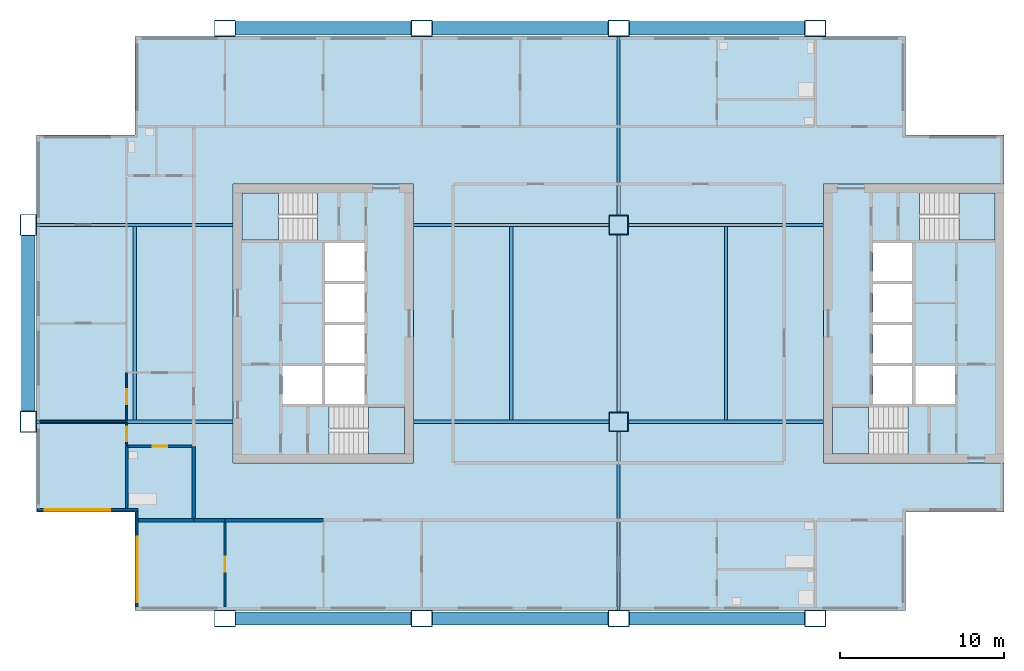
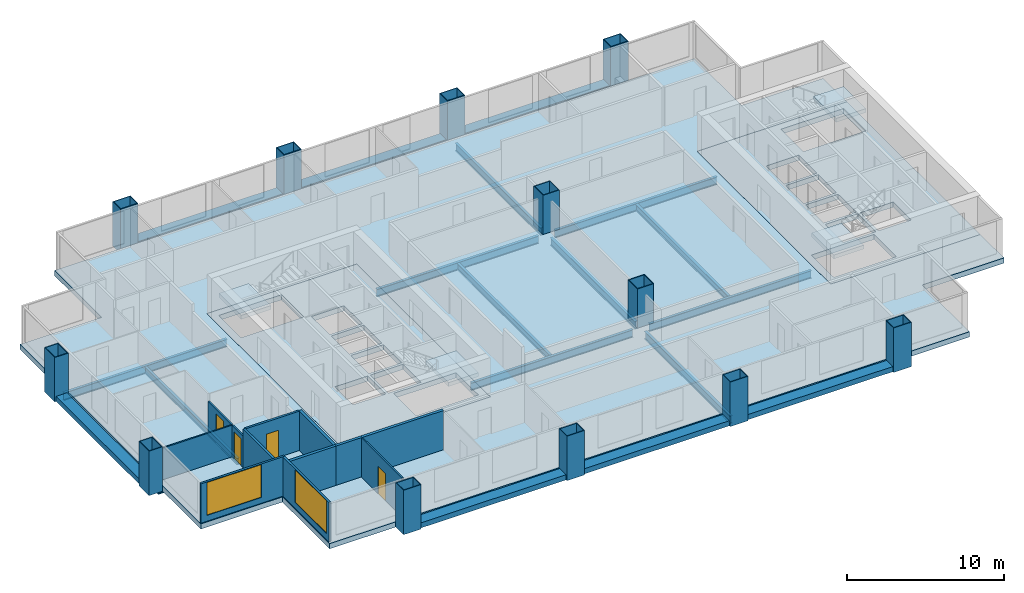
# One storey, part 1 of 8: 19 beams, 12 columns, 12 walls, 7 slabs, 4 doors, 2 windows, 6 openings, 4 elements without a shape of their own.
"""IFC4 building model written with IfcOpenShell, lengths in metres."""

from ifc_helpers import new_model, si_unit, direction, frame, frame_2d, origin, origin_2d, place, context, subcontext, project, spatial, polyline, rectangle, hollow_rectangle, i_section, outline, extrude, material, layer, layer_set, material_profile, profile_set, type_object, element, fill, aggregate, save


model = new_model("IFC4")

# Units and contexts
model_context = context("Model", 3, precision=1e-05, world=origin(), true_north=direction((0.0, 1.0)))
body_context = subcontext(model_context, "Body", "Model", "MODEL_VIEW")
ifc_project = project(units=[si_unit("LENGTHUNIT", "METRE"), si_unit("AREAUNIT", "SQUARE_METRE"), si_unit("VOLUMEUNIT", "CUBIC_METRE"), si_unit("PLANEANGLEUNIT", "RADIAN"), si_unit("MASSUNIT", "GRAM", prefix="KILO")], contexts=[model_context])

# Site, building, storey
site_placement = place(None, origin())
site = spatial("IfcSite", under=ifc_project, at=site_placement, CompositionType="ELEMENT")
building_placement = place(site_placement, origin())
building = spatial("IfcBuilding", under=site, at=building_placement, Name="Kitamizu Gate Tower and Museum", CompositionType="ELEMENT")
storey_placement = place(building_placement, frame((0.0, 0.0, 172.050048828125)))
storey = spatial("IfcBuildingStorey", under=building, at=storey_placement, Name="L45", CompositionType="ELEMENT", Elevation=172.050048828125)

# Columns
ifc_material_1 = material(Name="Steel SM490A bronze coated", Category="steel")
ifc_material_profile_1 = material_profile(ifc_material_1, hollow_rectangle(XDim=1.300048828125, YDim=1.0, WallThickness=0.050048828125, at=origin_2d()), Name="BOX 1300x1000x50")
ifc_profile_set_1 = profile_set([ifc_material_profile_1], Name="Steel SM490A bronze coated")
column_type_1 = type_object("IfcColumnType", Name="Exoskeleton column XC6 BOX 1300x1000x50", PredefinedType="COLUMN", material=ifc_profile_set_1)
for number, where, z_axis, x_axis, name in (
    (1, (0.0, 24.0, -0.400146484375), (0.0, 0.0, 1.0), (0.0, 1.0, 0.0), "Column XC6 1C L45"),
    (2, (0.0, 36.0, -0.400146484375), (0.0, 0.0, 1.0), (0.0, 1.0, 0.0), "Column XC6 1D L45"),
    (3, (12.0, 12.0, -0.400146484375), (0.0, 0.0, 1.0), (1.0, 0.0, 0.0), "Column XC6 2B L45"),
    (4, (12.0, 48.0, -0.400146484375), (0.0, 0.0, 1.0), (1.0, 0.0, 0.0), "Column XC6 2E L45"),
    (5, (24.0, 12.0, -0.400146484375), (0.0, 0.0, 1.0), (1.0, 0.0, 0.0), "Column XC6 3B L45"),
    (6, (24.0, 48.0, -0.400146484375), (0.0, 0.0, 1.0), (1.0, 0.0, 0.0), "Column XC6 3E L45"),
    (7, (36.0, 12.0, -0.400146484375), (0.0, 0.0, 1.0), (1.0, 0.0, 0.0), "Column XC6 4B L45"),
    (8, (36.0, 48.0, -0.400146484375), (0.0, 0.0, 1.0), (1.0, 0.0, 0.0), "Column XC6 4E L45"),
    (9, (48.0, 12.0, -0.400146484375), (0.0, 0.0, 1.0), (1.0, 0.0, 0.0), "Column XC6 5B L45"),
    (10, (48.0, 48.0, -0.400146484375), (0.0, 0.0, 1.0), (1.0, 0.0, 0.0), "Column XC6 5E L45"),
):
    element("IfcColumn", number, at=place(storey_placement, frame(where, z_axis=z_axis, x_axis=x_axis)), inside=storey, type_object=column_type_1, Name=name, PredefinedType="COLUMN", context=body_context, shape_type="SweptSolid", body=[
        extrude(hollow_rectangle(XDim=1.300048828125, YDim=1.0, WallThickness=0.050048828125, at=origin_2d()), origin(), (0.0, 0.0, 1.0), 3.4501953125),
    ])
ifc_material_2 = material(Name="Steel SM490A", Category="steel")
ifc_material_profile_2 = material_profile(ifc_material_2, hollow_rectangle(XDim=1.199951171875, YDim=1.199951171875, WallThickness=0.050048828125, at=origin_2d()), Name="BOX 1200x1200x50")
ifc_profile_set_2 = profile_set([ifc_material_profile_2], Name="Steel SM490A")
column_type_2 = type_object("IfcColumnType", Name="Interior column IC4 BOX 1200x1200x50", PredefinedType="COLUMN", material=ifc_profile_set_2)
for number, where, z_axis, x_axis, name in (
    (11, (36.0, 24.0, 0.0), (0.0, 0.0, 1.0), (1.0, 0.0, 0.0), "Column IC4 4C L45"),
    (12, (36.0, 36.0, 0.0), (0.0, 0.0, 1.0), (1.0, 0.0, 0.0), "Column IC4 4D L45"),
):
    element("IfcColumn", number, at=place(storey_placement, frame(where, z_axis=z_axis, x_axis=x_axis)), inside=storey, type_object=column_type_2, Name=name, PredefinedType="COLUMN", context=body_context, shape_type="SweptSolid", body=[
        extrude(hollow_rectangle(XDim=1.199951171875, YDim=1.199951171875, WallThickness=0.050048828125, at=origin_2d()), origin(), (0.0, 0.0, 1.0), 3.050048828125),
    ])

# Beams
ifc_material_3 = material(Name="Steel SM490A bronze coated", Category="steel")
ifc_material_profile_3 = material_profile(ifc_material_3, hollow_rectangle(XDim=0.800048828125, YDim=0.39990234375, WallThickness=0.0400390625, at=origin_2d()), Name="BOX 800x400x40")
ifc_profile_set_3 = profile_set([ifc_material_profile_3], Name="Steel SM490A bronze coated")
beam_type_1 = type_object("IfcBeamType", Name="Exoskeleton spandrel beam SB1 BOX 800x400x40", PredefinedType="SPANDREL", material=ifc_profile_set_3)
for number, where, z_axis, x_axis, name in (
    (13, (12.64990234375, 12.0, -0.199951171875), (1.0, 0.0, 0.0), (0.0, 1.0, 0.0), "Exoskeleton spandrel beam south 12 L45"),
    (14, (24.64990234375, 12.0, -0.199951171875), (1.0, 0.0, 0.0), (0.0, 1.0, 0.0), "Exoskeleton spandrel beam south 24 L45"),
    (15, (36.64990234375, 12.0, -0.199951171875), (1.0, 0.0, 0.0), (0.0, 1.0, 0.0), "Exoskeleton spandrel beam south 36 L45"),
    (16, (12.64990234375, 48.0, -0.199951171875), (1.0, 0.0, 0.0), (0.0, 1.0, 0.0), "Exoskeleton spandrel beam north 12 L45"),
    (17, (24.64990234375, 48.0, -0.199951171875), (1.0, 0.0, 0.0), (0.0, 1.0, 0.0), "Exoskeleton spandrel beam north 24 L45"),
    (18, (36.64990234375, 48.0, -0.199951171875), (1.0, 0.0, 0.0), (0.0, 1.0, 0.0), "Exoskeleton spandrel beam north 36 L45"),
    (19, (0.0, 24.64990234375, -0.199951171875), (0.0, 1.0, 0.0), (-1.0, 0.0, 0.0), "Exoskeleton spandrel beam west 24 L45"),
):
    element("IfcBeam", number, at=place(storey_placement, frame(where, z_axis=z_axis, x_axis=x_axis)), inside=storey, type_object=beam_type_1, Name=name, PredefinedType="SPANDREL", context=body_context, shape_type="SweptSolid", body=[
        extrude(hollow_rectangle(XDim=0.800048828125, YDim=0.39990234375, WallThickness=0.0400390625, at=origin_2d()), origin(), (0.0, 0.0, 1.0), 10.7001953125),
    ])
ifc_material_4 = material(Name="Steel SM490A", Category="steel")
ifc_material_profile_4 = material_profile(ifc_material_4, i_section(OverallWidth=0.199951171875, OverallDepth=0.5, WebThickness=0.010009765625, FlangeThickness=0.01611328125, FilletRadius=0.02001953125, at=origin_2d()), Name="H-500x200x10x16")
ifc_profile_set_4 = profile_set([ifc_material_profile_4], Name="Steel SM490A")
beam_type_2 = type_object("IfcBeamType", Name="Floor beam FB1 H 500x200x10x16", PredefinedType="BEAM", material=ifc_profile_set_4)
for number, where, z_axis, x_axis, name in (
    (20, (6.5, 24.10009765625, -0.650146484375), (0.0, 1.0, 0.0), (-1.0, 0.0, 0.0), "Floor beam FB1 L45-1"),
    (21, (29.449951171875, 24.10009765625, -0.650146484375), (0.0, 1.0, 0.0), (-1.0, 0.0, 0.0), "Floor beam FB1 L45-2"),
    (22, (42.550048828125, 24.10009765625, -0.650146484375), (0.0, 1.0, 0.0), (-1.0, 0.0, 0.0), "Floor beam FB1 L45-3"),
):
    element("IfcBeam", number, at=place(storey_placement, frame(where, z_axis=z_axis, x_axis=x_axis)), inside=storey, type_object=beam_type_2, Name=name, PredefinedType="BEAM", context=body_context, shape_type="SweptSolid", body=[
        extrude(i_section(OverallWidth=0.199951171875, OverallDepth=0.5, WebThickness=0.010009765625, FlangeThickness=0.01611328125, FilletRadius=0.02001953125, at=origin_2d()), origin(), (0.0, 0.0, 1.0), 11.7998046875),
    ])
ifc_material_5 = material(Name="Steel SM490A", Category="steel")
ifc_material_profile_5 = material_profile(ifc_material_5, i_section(OverallWidth=0.199951171875, OverallDepth=0.60009765625, WebThickness=0.010986328125, FlangeThickness=0.01708984375, FilletRadius=0.02197265625, at=origin_2d()), Name="H-600x200x11x17")
ifc_profile_set_5 = profile_set([ifc_material_profile_5], Name="Steel SM490A")
beam_type_3 = type_object("IfcBeamType", Name="Floor girder FG1 H 600x200x11x17", PredefinedType="BEAM", material=ifc_profile_set_5)
beam_1_placement = place(storey_placement, frame((36.0, 12.5, -0.699951171875), z_axis=(0.0, 1.0, 0.0), x_axis=(-1.0, 0.0, 0.0)))
element("IfcBeam", 23, at=beam_1_placement, inside=storey, type_object=beam_type_3, Name="Floor girder FG1 x36 L45", PredefinedType="BEAM", context=body_context, shape_type="SweptSolid", body=[
    extrude(i_section(OverallWidth=0.199951171875, OverallDepth=0.60009765625, WebThickness=0.010986328125, FlangeThickness=0.01708984375, FilletRadius=0.02197265625, at=origin_2d()), origin(), (0.0, 0.0, 1.0), 10.89990234375),
])
beam_2_placement = place(storey_placement, frame((36.0, 24.60009765625, -0.699951171875), z_axis=(0.0, 1.0, 0.0), x_axis=(-1.0, 0.0, 0.0)))
element("IfcBeam", 24, at=beam_2_placement, inside=storey, type_object=beam_type_3, Name="Floor girder FG1 x36 L45", PredefinedType="BEAM", context=body_context, shape_type="SweptSolid", body=[
    extrude(i_section(OverallWidth=0.199951171875, OverallDepth=0.60009765625, WebThickness=0.010986328125, FlangeThickness=0.01708984375, FilletRadius=0.02197265625, at=origin_2d()), origin(), (0.0, 0.0, 1.0), 10.7998046875),
])
beam_3_placement = place(storey_placement, frame((36.0, 36.60009765625, -0.699951171875), z_axis=(0.0, 1.0, 0.0), x_axis=(-1.0, 0.0, 0.0)))
element("IfcBeam", 25, at=beam_3_placement, inside=storey, type_object=beam_type_3, Name="Floor girder FG1 x36 L45", PredefinedType="BEAM", context=body_context, shape_type="SweptSolid", body=[
    extrude(i_section(OverallWidth=0.199951171875, OverallDepth=0.60009765625, WebThickness=0.010986328125, FlangeThickness=0.01708984375, FilletRadius=0.02197265625, at=origin_2d()), origin(), (0.0, 0.0, 1.0), 10.89990234375),
])
beam_4_placement = place(storey_placement, frame((0.5, 24.0, -0.699951171875), z_axis=(1.0, 0.0, 0.0), x_axis=(0.0, 1.0, 0.0)))
element("IfcBeam", 26, at=beam_4_placement, inside=storey, type_object=beam_type_3, Name="Floor girder FG1 y24 L45", PredefinedType="BEAM", context=body_context, shape_type="SweptSolid", body=[
    extrude(i_section(OverallWidth=0.199951171875, OverallDepth=0.60009765625, WebThickness=0.010986328125, FlangeThickness=0.01708984375, FilletRadius=0.02197265625, at=origin_2d()), origin(), (0.0, 0.0, 1.0), 12.0),
])
for number, where, z_axis, x_axis, name in (
    (27, (23.5, 24.0, -0.699951171875), (1.0, 0.0, 0.0), (0.0, 1.0, 0.0), "Floor girder FG1 y24 L45"),
    (28, (36.60009765625, 24.0, -0.699951171875), (1.0, 0.0, 0.0), (0.0, 1.0, 0.0), "Floor girder FG1 y24 L45"),
):
    element("IfcBeam", number, at=place(storey_placement, frame(where, z_axis=z_axis, x_axis=x_axis)), inside=storey, type_object=beam_type_3, Name=name, PredefinedType="BEAM", context=body_context, shape_type="SweptSolid", body=[
        extrude(i_section(OverallWidth=0.199951171875, OverallDepth=0.60009765625, WebThickness=0.010986328125, FlangeThickness=0.01708984375, FilletRadius=0.02197265625, at=origin_2d()), origin(), (0.0, 0.0, 1.0), 11.89990234375),
    ])
beam_5_placement = place(storey_placement, frame((0.5, 36.0, -0.699951171875), z_axis=(1.0, 0.0, 0.0), x_axis=(0.0, 1.0, 0.0)))
element("IfcBeam", 29, at=beam_5_placement, inside=storey, type_object=beam_type_3, Name="Floor girder FG1 y36 L45", PredefinedType="BEAM", context=body_context, shape_type="SweptSolid", body=[
    extrude(i_section(OverallWidth=0.199951171875, OverallDepth=0.60009765625, WebThickness=0.010986328125, FlangeThickness=0.01708984375, FilletRadius=0.02197265625, at=origin_2d()), origin(), (0.0, 0.0, 1.0), 12.0),
])
for number, where, z_axis, x_axis, name in (
    (30, (23.5, 36.0, -0.699951171875), (1.0, 0.0, 0.0), (0.0, 1.0, 0.0), "Floor girder FG1 y36 L45"),
    (31, (36.60009765625, 36.0, -0.699951171875), (1.0, 0.0, 0.0), (0.0, 1.0, 0.0), "Floor girder FG1 y36 L45"),
):
    element("IfcBeam", number, at=place(storey_placement, frame(where, z_axis=z_axis, x_axis=x_axis)), inside=storey, type_object=beam_type_3, Name=name, PredefinedType="BEAM", context=body_context, shape_type="SweptSolid", body=[
        extrude(i_section(OverallWidth=0.199951171875, OverallDepth=0.60009765625, WebThickness=0.010986328125, FlangeThickness=0.01708984375, FilletRadius=0.02197265625, at=origin_2d()), origin(), (0.0, 0.0, 1.0), 11.89990234375),
    ])

# Slabs
ifc_material_6 = material(Name="Concrete Fc36", Category="concrete")
ifc_layer_1 = layer(ifc_material_6, 0.39990234375)
ifc_layer_set_1 = layer_set([ifc_layer_1], Name="Concrete Fc36")
slab_type_1 = type_object("IfcSlabType", Name="Core floor slab 400", PredefinedType="FLOOR", material=ifc_layer_set_1)
slab_1_placement = place(storey_placement, frame((0.0, 0.0, -0.400146484375)))
element("IfcSlab", 32, at=slab_1_placement, inside=storey, type_object=slab_type_1, Name="Core floor slab W", PredefinedType="FLOOR", context=body_context, shape_type="SweptSolid", body=[
    extrude(outline(polyline([(12.5, 21.5), (23.5, 21.5), (23.5, 38.5), (12.5, 38.5), (12.5, 21.5)]), holes=[polyline([(15.5, 25.10009765625), (17.89990234375, 25.10009765625), (17.89990234375, 27.39990234375), (15.5, 27.39990234375), (15.5, 25.10009765625)]), polyline([(18.10009765625, 25.10009765625), (20.5, 25.10009765625), (20.5, 27.39990234375), (18.10009765625, 27.39990234375), (18.10009765625, 25.10009765625)]), polyline([(18.10009765625, 27.60009765625), (20.5, 27.60009765625), (20.5, 29.89990234375), (18.10009765625, 29.89990234375), (18.10009765625, 27.60009765625)]), polyline([(18.10009765625, 30.10009765625), (20.5, 30.10009765625), (20.5, 32.39990234375), (18.10009765625, 32.39990234375), (18.10009765625, 30.10009765625)]), polyline([(18.10009765625, 32.60009765625), (20.5, 32.60009765625), (20.5, 34.89990234375), (18.10009765625, 34.89990234375), (18.10009765625, 32.60009765625)]), polyline([(18.3505859375, 22.050048828125), (22.949951171875, 22.050048828125), (22.949951171875, 24.89990234375), (18.3505859375, 24.89990234375), (18.3505859375, 22.050048828125)]), polyline([(13.050048828125, 35.10009765625), (17.6494140625, 35.10009765625), (17.6494140625, 37.949951171875), (13.050048828125, 37.949951171875), (13.050048828125, 35.10009765625)])]), origin(), (0.0, 0.0, 1.0), 0.400146484375),
])
slab_2_placement = place(storey_placement, frame((0.0, 0.0, -0.400146484375)))
element("IfcSlab", 33, at=slab_2_placement, inside=storey, type_object=slab_type_1, Name="Core floor slab E", PredefinedType="FLOOR", context=body_context, shape_type="SweptSolid", body=[
    extrude(outline(polyline([(48.5, 21.5), (59.5, 21.5), (59.5, 38.5), (48.5, 38.5), (48.5, 21.5)]), holes=[polyline([(54.10009765625, 25.10009765625), (56.5, 25.10009765625), (56.5, 27.39990234375), (54.10009765625, 27.39990234375), (54.10009765625, 25.10009765625)]), polyline([(51.5, 25.10009765625), (53.89990234375, 25.10009765625), (53.89990234375, 27.39990234375), (51.5, 27.39990234375), (51.5, 25.10009765625)]), polyline([(51.5, 27.60009765625), (53.89990234375, 27.60009765625), (53.89990234375, 29.89990234375), (51.5, 29.89990234375), (51.5, 27.60009765625)]), polyline([(51.5, 30.10009765625), (53.89990234375, 30.10009765625), (53.89990234375, 32.39990234375), (51.5, 32.39990234375), (51.5, 30.10009765625)]), polyline([(51.5, 32.60009765625), (53.89990234375, 32.60009765625), (53.89990234375, 34.89990234375), (51.5, 34.89990234375), (51.5, 32.60009765625)]), polyline([(49.050048828125, 22.050048828125), (53.6494140625, 22.050048828125), (53.6494140625, 24.89990234375), (49.050048828125, 24.89990234375), (49.050048828125, 22.050048828125)]), polyline([(54.3505859375, 35.10009765625), (58.949951171875, 35.10009765625), (58.949951171875, 37.949951171875), (54.3505859375, 37.949951171875), (54.3505859375, 35.10009765625)])]), origin(), (0.0, 0.0, 1.0), 0.400146484375),
])
ifc_material_7 = material(Name="Concrete Fc36", Category="concrete")
ifc_layer_2 = layer(ifc_material_7, 0.39990234375)
ifc_layer_set_2 = layer_set([ifc_layer_2], Name="Concrete Fc36")
slab_type_2 = type_object("IfcSlabType", Name="Post tensioned flat slab 400", PredefinedType="FLOOR", material=ifc_layer_set_2)
slab_3_placement = place(storey_placement, frame((0.0, 0.0, -0.400146484375)))
element("IfcSlab", 34, at=slab_3_placement, inside=storey, type_object=slab_type_2, Name="Floor slab L45-1", PredefinedType="FLOOR", context=body_context, shape_type="SweptSolid", body=[
    extrude(outline(polyline([(0.5, 18.5), (0.5, 41.5), (6.5, 41.5), (6.5, 47.5), (53.5, 47.5), (53.5, 41.5), (59.5, 41.5), (59.5, 38.5), (48.5, 38.5), (48.5, 21.5), (59.5, 21.5), (59.5, 18.5), (53.5, 18.5), (53.5, 12.5), (6.5, 12.5), (6.5, 18.5), (0.5, 18.5)]), holes=[polyline([(12.5, 38.5), (12.5, 21.5), (23.5, 21.5), (23.5, 38.5), (12.5, 38.5)])]), origin(), (0.0, 0.0, 1.0), 0.400146484375),
])

# Stair, slab
ifc_material_8 = material(Name="Concrete Fc42", Category="concrete")
stair_type = type_object("IfcStairType", Name="Exit stair 1325 wide 192 rise 300 going", PredefinedType="HALF_TURN_STAIR", material=ifc_material_8)
stair_1_placement = place(storey_placement, origin())
stair_1 = element("IfcStair", 35, at=stair_1_placement, inside=storey, type_object=stair_type, Name="Exit stair ST1", PredefinedType="HALF_TURN_STAIR")
ifc_material_9 = material(Name="Concrete Fc42", Category="concrete")
ifc_layer_3 = layer(ifc_material_9, 0.300048828125)
ifc_layer_set_3 = layer_set([ifc_layer_3], Name="Concrete Fc42")
slab_type_3 = type_object("IfcSlabType", Name="Stair landing 300", PredefinedType="LANDING", material=ifc_layer_set_3)
slab_4_placement = place(storey_placement, frame((0.0, 0.0, 1.425048828125)))
slab_4 = element("IfcSlab", 36, at=slab_4_placement, type_object=slab_type_3, Name="ST1 landing 1", PredefinedType="LANDING", context=body_context, shape_type="SweptSolid", body=[
    extrude(outline(polyline([(20.75, 22.050048828125), (22.949951171875, 22.050048828125), (22.949951171875, 24.89990234375), (20.75, 24.89990234375), (20.75, 22.050048828125)])), origin(), (0.0, 0.0, 1.0), 0.2998046875),
])
aggregate(stair_1, [slab_4])

stair_2_placement = place(storey_placement, origin())
stair_2 = element("IfcStair", 37, at=stair_2_placement, inside=storey, type_object=stair_type, Name="Exit stair ST2", PredefinedType="HALF_TURN_STAIR")
slab_5_placement = place(storey_placement, frame((0.0, 0.0, 1.425048828125)))
slab_5 = element("IfcSlab", 38, at=slab_5_placement, type_object=slab_type_3, Name="ST2 landing 1", PredefinedType="LANDING", context=body_context, shape_type="SweptSolid", body=[
    extrude(outline(polyline([(13.050048828125, 35.10009765625), (15.25, 35.10009765625), (15.25, 37.949951171875), (13.050048828125, 37.949951171875), (13.050048828125, 35.10009765625)])), origin(), (0.0, 0.0, 1.0), 0.2998046875),
])
aggregate(stair_2, [slab_5])

stair_3_placement = place(storey_placement, origin())
stair_3 = element("IfcStair", 39, at=stair_3_placement, inside=storey, type_object=stair_type, Name="Exit stair ST3", PredefinedType="HALF_TURN_STAIR")
slab_6_placement = place(storey_placement, frame((0.0, 0.0, 1.425048828125)))
slab_6 = element("IfcSlab", 40, at=slab_6_placement, type_object=slab_type_3, Name="ST3 landing 1", PredefinedType="LANDING", context=body_context, shape_type="SweptSolid", body=[
    extrude(outline(polyline([(49.050048828125, 22.050048828125), (51.25, 22.050048828125), (51.25, 24.89990234375), (49.050048828125, 24.89990234375), (49.050048828125, 22.050048828125)])), origin(), (0.0, 0.0, 1.0), 0.2998046875),
])
aggregate(stair_3, [slab_6])

stair_4_placement = place(storey_placement, origin())
stair_4 = element("IfcStair", 41, at=stair_4_placement, inside=storey, type_object=stair_type, Name="Exit stair ST4", PredefinedType="HALF_TURN_STAIR")
slab_7_placement = place(storey_placement, frame((0.0, 0.0, 1.425048828125)))
slab_7 = element("IfcSlab", 42, at=slab_7_placement, type_object=slab_type_3, Name="ST4 landing 1", PredefinedType="LANDING", context=body_context, shape_type="SweptSolid", body=[
    extrude(outline(polyline([(56.75, 35.10009765625), (58.949951171875, 35.10009765625), (58.949951171875, 37.949951171875), (56.75, 37.949951171875), (56.75, 35.10009765625)])), origin(), (0.0, 0.0, 1.0), 0.2998046875),
])
aggregate(stair_4, [slab_7])

# Wall, opening, door
ifc_material_10 = material(Name="Gypsum board on galvanised stud")
ifc_layer_4 = layer(ifc_material_10, 0.10009765625)
ifc_layer_set_4 = layer_set([ifc_layer_4], Name="Gypsum board on galvanised stud")
wall_type_1 = type_object("IfcWallType", Name="Partition 100 NOT RATED", PredefinedType="PARTITIONING", material=ifc_layer_set_4)
wall_1_placement = place(storey_placement, frame((12.0, 12.719970703125, 0.0), z_axis=(0.0, 0.0, 1.0), x_axis=(0.0, 1.0, 0.0)))
wall_1 = element("IfcWall", 43, at=wall_1_placement, inside=storey, type_object=wall_type_1, Name="Partition L45-001", PredefinedType="PARTITIONING", context=body_context, shape_type="SweptSolid", body=[
    extrude(rectangle(XDim=5.179931640625, YDim=0.10009765625, at=frame_2d((2.58984375, 0.0))), origin(), (0.0, 0.0, 1.0), 3.050048828125),
])
opening_1_placement = place(wall_1_placement, frame((2.139892578125, 0.0, 0.0)))
opening_1 = element("IfcOpeningElement", 44, at=opening_1_placement, cuts=wall_1, Name="Opening L45-006", PredefinedType="OPENING", context=body_context, shape_type="SweptSolid", body=[
    extrude(rectangle(XDim=0.89990234375, YDim=2.10009765625, at=frame_2d((0.449951171875, 1.050048828125))), frame((0.0, 0.06005859375, 0.0), z_axis=(0.0, -1.0, 0.0), x_axis=(1.0, 0.0, 0.0)), (0.0, 0.0, 1.0), 0.1201171875),
])
ifc_material_11 = material(Name="Timber door set", Category="wood")
door_type_1 = type_object("IfcDoorType", Name="Room door 900", OperationType="NOTDEFINED", PredefinedType="DOOR", material=ifc_material_11)
door_1_placement = place(opening_1_placement, origin())
door_1 = element("IfcDoor", 45, at=door_1_placement, inside=storey, type_object=door_type_1, Name="Door L45-006", OperationType="SINGLE_SWING_LEFT", OverallHeight=2.10009765625, OverallWidth=0.89990234375, PredefinedType="DOOR", context=body_context, shape_type="SweptSolid", body=[
    extrude(rectangle(XDim=0.89990234375, YDim=2.10009765625, at=frame_2d((0.449951171875, 1.050048828125))), frame((0.0, 0.02490234375, 0.0), z_axis=(0.0, -1.0, 0.0), x_axis=(1.0, 0.0, 0.0)), (0.0, 0.0, 1.0), 0.050048828125),
])
fill(opening_1, door_1)

# Wall
wall_2_placement = place(storey_placement, frame((6.0, 24.0, 0.0), z_axis=(0.0, 0.0, 1.0), x_axis=(-1.0, 0.0, 0.0)))
element("IfcWall", 46, at=wall_2_placement, inside=storey, type_object=wall_type_1, Name="Partition L45-037", PredefinedType="PARTITIONING", context=body_context, shape_type="SweptSolid", body=[
    extrude(rectangle(XDim=5.280029296875, YDim=0.10009765625, at=frame_2d((2.64013671875, 0.0))), origin(), (0.0, 0.0, 1.0), 2.449951171875),
])

# Wall, opening, door
wall_3_placement = place(storey_placement, frame((6.0, 22.574951171875, 0.0), z_axis=(0.0, 0.0, 1.0), x_axis=(0.0, 1.0, 0.0)))
wall_3 = element("IfcWall", 47, at=wall_3_placement, inside=storey, type_object=wall_type_1, Name="Partition L45-039", PredefinedType="PARTITIONING", context=body_context, shape_type="SweptSolid", body=[
    extrude(rectangle(XDim=1.375, YDim=0.10009765625, at=frame_2d((0.6875, 0.0))), origin(), (0.0, 0.0, 1.0), 2.449951171875),
])
opening_2_placement = place(wall_3_placement, frame((0.237548828125, 0.0, 0.0)))
opening_2 = element("IfcOpeningElement", 48, at=opening_2_placement, cuts=wall_3, Name="Opening L45-016", PredefinedType="OPENING", context=body_context, shape_type="SweptSolid", body=[
    extrude(rectangle(XDim=0.89990234375, YDim=2.10009765625, at=frame_2d((0.449951171875, 1.050048828125))), frame((0.0, 0.06005859375, 0.0), z_axis=(0.0, -1.0, 0.0), x_axis=(1.0, 0.0, 0.0)), (0.0, 0.0, 1.0), 0.1201171875),
])
door_2_placement = place(opening_2_placement, origin())
door_2 = element("IfcDoor", 49, at=door_2_placement, inside=storey, type_object=door_type_1, Name="Door L45-016", OperationType="SINGLE_SWING_LEFT", OverallHeight=2.10009765625, OverallWidth=0.89990234375, PredefinedType="DOOR", context=body_context, shape_type="SweptSolid", body=[
    extrude(rectangle(XDim=0.89990234375, YDim=2.10009765625, at=frame_2d((0.449951171875, 1.050048828125))), frame((0.0, 0.02490234375, 0.0), z_axis=(0.0, -1.0, 0.0), x_axis=(1.0, 0.0, 0.0)), (0.0, 0.0, 1.0), 0.050048828125),
])
fill(opening_2, door_2)

wall_4_placement = place(storey_placement, frame((6.0, 24.050048828125, 0.0), z_axis=(0.0, 0.0, 1.0), x_axis=(0.0, 1.0, 0.0)))
wall_4 = element("IfcWall", 50, at=wall_4_placement, inside=storey, type_object=wall_type_1, Name="Partition L45-041", PredefinedType="PARTITIONING", context=body_context, shape_type="SweptSolid", body=[
    extrude(rectangle(XDim=2.949951171875, YDim=0.10009765625, at=frame_2d((1.47509765625, 0.0))), origin(), (0.0, 0.0, 1.0), 2.449951171875),
])
opening_3_placement = place(wall_4_placement, frame((1.02490234375, 0.0, 0.0)))
opening_3 = element("IfcOpeningElement", 51, at=opening_3_placement, cuts=wall_4, Name="Opening L45-017", PredefinedType="OPENING", context=body_context, shape_type="SweptSolid", body=[
    extrude(rectangle(XDim=0.89990234375, YDim=2.10009765625, at=frame_2d((0.449951171875, 1.050048828125))), frame((0.0, 0.06005859375, 0.0), z_axis=(0.0, -1.0, 0.0), x_axis=(1.0, 0.0, 0.0)), (0.0, 0.0, 1.0), 0.1201171875),
])
door_3_placement = place(opening_3_placement, origin())
door_3 = element("IfcDoor", 52, at=door_3_placement, inside=storey, type_object=door_type_1, Name="Door L45-017", OperationType="SINGLE_SWING_RIGHT", OverallHeight=2.10009765625, OverallWidth=0.89990234375, PredefinedType="DOOR", context=body_context, shape_type="SweptSolid", body=[
    extrude(rectangle(XDim=0.89990234375, YDim=2.10009765625, at=frame_2d((0.449951171875, 1.050048828125))), frame((0.0, 0.02490234375, 0.0), z_axis=(0.0, -1.0, 0.0), x_axis=(1.0, 0.0, 0.0)), (0.0, 0.0, 1.0), 0.050048828125),
])
fill(opening_3, door_3)

# Wall
ifc_material_12 = material(Name="Gypsum board on galvanised stud")
ifc_layer_5 = layer(ifc_material_12, 0.14990234375)
ifc_layer_set_5 = layer_set([ifc_layer_5], Name="Gypsum board on galvanised stud")
wall_type_2 = type_object("IfcWallType", Name="Partition 150", PredefinedType="PARTITIONING", material=ifc_layer_set_5)
wall_5_placement = place(storey_placement, frame((6.0, 18.719970703125, 0.0), z_axis=(0.0, 0.0, 1.0), x_axis=(0.0, 1.0, 0.0)))
element("IfcWall", 53, at=wall_5_placement, inside=storey, type_object=wall_type_2, Name="Partition L45-038", PredefinedType="PARTITIONING", context=body_context, shape_type="SweptSolid", body=[
    extrude(rectangle(XDim=3.780029296875, YDim=0.14990234375, at=frame_2d((1.89013671875, 0.0))), origin(), (0.0, 0.0, 1.0), 3.050048828125),
])

# Wall, opening, door
wall_6_placement = place(storey_placement, frame((10.0, 22.5, 0.0), z_axis=(0.0, 0.0, 1.0), x_axis=(-1.0, 0.0, 0.0)))
wall_6 = element("IfcWall", 54, at=wall_6_placement, inside=storey, type_object=wall_type_2, Name="Partition L45-047", PredefinedType="PARTITIONING", context=body_context, shape_type="SweptSolid", body=[
    extrude(rectangle(XDim=3.925048828125, YDim=0.14990234375, at=frame_2d((1.96240234375, 0.0))), origin(), (0.0, 0.0, 1.0), 3.050048828125),
])
opening_4_placement = place(wall_6_placement, frame((1.512451171875, 0.0, 0.0)))
opening_4 = element("IfcOpeningElement", 55, at=opening_4_placement, cuts=wall_6, Name="Opening L45-021", PredefinedType="OPENING", context=body_context, shape_type="SweptSolid", body=[
    extrude(rectangle(XDim=0.89990234375, YDim=2.10009765625, at=frame_2d((0.449951171875, 1.050048828125))), frame((0.0, 0.0849609375, 0.0), z_axis=(0.0, -1.0, 0.0), x_axis=(1.0, 0.0, 0.0)), (0.0, 0.0, 1.0), 0.169921875),
])
ifc_material_13 = material(Name="Timber door set", Category="wood")
door_type_2 = type_object("IfcDoorType", Name="Bathroom door 900", OperationType="NOTDEFINED", PredefinedType="DOOR", material=ifc_material_13)
door_4_placement = place(opening_4_placement, origin())
door_4 = element("IfcDoor", 56, at=door_4_placement, inside=storey, type_object=door_type_2, Name="Bathroom door L45-021", OperationType="SINGLE_SWING_LEFT", OverallHeight=2.10009765625, OverallWidth=0.89990234375, PredefinedType="DOOR", context=body_context, shape_type="SweptSolid", body=[
    extrude(rectangle(XDim=0.89990234375, YDim=2.10009765625, at=frame_2d((0.449951171875, 1.050048828125))), frame((0.0, 0.02490234375, 0.0), z_axis=(0.0, -1.0, 0.0), x_axis=(1.0, 0.0, 0.0)), (0.0, 0.0, 1.0), 0.050048828125),
])
fill(opening_4, door_4)

# Walls
ifc_material_14 = material(Name="Gypsum board on galvanised stud")
ifc_layer_6 = layer(ifc_material_14, 0.199951171875)
ifc_layer_set_6 = layer_set([ifc_layer_6], Name="Gypsum board on galvanised stud")
wall_type_3 = type_object("IfcWallType", Name="Partition 200", PredefinedType="PARTITIONING", material=ifc_layer_set_6)
wall_7_placement = place(storey_placement, frame((10.10009765625, 18.0, 0.0), z_axis=(0.0, 0.0, 1.0), x_axis=(-1.0, 0.0, 0.0)))
element("IfcWall", 57, at=wall_7_placement, inside=storey, type_object=wall_type_3, Name="Partition L45-002", PredefinedType="PARTITIONING", context=body_context, shape_type="SweptSolid", body=[
    extrude(rectangle(XDim=3.380126953125, YDim=0.199951171875, at=frame_2d((1.68994140625, 0.0))), origin(), (0.0, 0.0, 1.0), 3.050048828125),
])
wall_8_placement = place(storey_placement, frame((12.0, 18.0, 0.0), z_axis=(0.0, 0.0, 1.0), x_axis=(-1.0, 0.0, 0.0)))
element("IfcWall", 58, at=wall_8_placement, inside=storey, type_object=wall_type_3, Name="Partition L45-003", PredefinedType="PARTITIONING", context=body_context, shape_type="SweptSolid", body=[
    extrude(rectangle(XDim=1.89990234375, YDim=0.199951171875, at=frame_2d((0.949951171875, 0.0))), origin(), (0.0, 0.0, 1.0), 3.050048828125),
])
wall_9_placement = place(storey_placement, frame((18.0, 18.0, 0.0), z_axis=(0.0, 0.0, 1.0), x_axis=(-1.0, 0.0, 0.0)))
element("IfcWall", 59, at=wall_9_placement, inside=storey, type_object=wall_type_3, Name="Partition L45-005", PredefinedType="PARTITIONING", context=body_context, shape_type="SweptSolid", body=[
    extrude(rectangle(XDim=6.0, YDim=0.199951171875, at=frame_2d((3.0, 0.0))), origin(), (0.0, 0.0, 1.0), 3.050048828125),
])
wall_10_placement = place(storey_placement, frame((10.10009765625, 18.10009765625, 0.0), z_axis=(0.0, 0.0, 1.0), x_axis=(0.0, 1.0, 0.0)))
element("IfcWall", 60, at=wall_10_placement, inside=storey, type_object=wall_type_3, Name="Partition L45-048", PredefinedType="PARTITIONING", context=body_context, shape_type="SweptSolid", body=[
    extrude(rectangle(XDim=4.39990234375, YDim=0.199951171875, at=frame_2d((2.199951171875, 0.0))), origin(), (0.0, 0.0, 1.0), 3.050048828125),
])

# Wall, opening, window
ifc_material_15 = material(Name="Bronze anodised aluminium frame with insulated spandrel and tinted glass", Category="aluminium")
ifc_layer_7 = layer(ifc_material_15, 0.14990234375)
ifc_layer_set_7 = layer_set([ifc_layer_7], Name="Bronze anodised aluminium frame with insulated spandrel and tinted glass")
wall_type_4 = type_object("IfcWallType", Name="WINDOW WALL 150 BRONZE FRAME EI 30", PredefinedType="ELEMENTEDWALL", material=ifc_layer_set_7)
wall_11_placement = place(storey_placement, frame((0.56005859375, 18.635009765625, 0.0), z_axis=(0.0, 0.0, 1.0), x_axis=(1.0, 0.0, 0.0)))
wall_11 = element("IfcWall", 61, at=wall_11_placement, inside=storey, type_object=wall_type_4, Name="Window wall south L45", PredefinedType="ELEMENTEDWALL", context=body_context, shape_type="SweptSolid", body=[
    extrude(rectangle(XDim=6.14990234375, YDim=0.14990234375, at=frame_2d((3.074951171875, 0.0))), origin(), (0.0, 0.0, 1.0), 3.050048828125),
])
opening_5_placement = place(wall_11_placement, frame((0.43994140625, 0.0, 0.449951171875)))
opening_5 = element("IfcOpeningElement", 62, at=opening_5_placement, cuts=wall_11, Name="Opening W16", PredefinedType="OPENING", context=body_context, shape_type="SweptSolid", body=[
    extrude(rectangle(XDim=4.0, YDim=2.550048828125, at=frame_2d((2.0, 1.27490234375))), frame((0.0, 0.0849609375, 0.0), z_axis=(0.0, -1.0, 0.0), x_axis=(1.0, 0.0, 0.0)), (0.0, 0.0, 1.0), 0.169921875),
])
ifc_material_16 = material(Name="Bronze anodised aluminium frame, tinted triple glazing", Category="aluminium")
window_type = type_object("IfcWindowType", Name="WINDOW 4000 x 2550 SILL 450", PartitioningType="SINGLE_PANEL", PredefinedType="WINDOW", material=ifc_material_16)
window_1_placement = place(opening_5_placement, origin())
window_1 = element("IfcWindow", 63, at=window_1_placement, inside=storey, type_object=window_type, Name="Window W16 L45", OverallHeight=2.550048828125, OverallWidth=4.0, PartitioningType="SINGLE_PANEL", PredefinedType="WINDOW", context=body_context, shape_type="SweptSolid", body=[
    extrude(rectangle(XDim=4.0, YDim=2.550048828125, at=frame_2d((2.0, 1.27490234375))), frame((0.0, 0.030029296875, 0.0), z_axis=(0.0, -1.0, 0.0), x_axis=(1.0, 0.0, 0.0)), (0.0, 0.0, 1.0), 0.06005859375),
])
fill(opening_5, window_1)

wall_12_placement = place(storey_placement, frame((6.635009765625, 12.7099609375, 0.0), z_axis=(0.0, 0.0, 1.0), x_axis=(0.0, 1.0, 0.0)))
wall_12 = element("IfcWall", 64, at=wall_12_placement, inside=storey, type_object=wall_type_4, Name="Window wall west L45", PredefinedType="ELEMENTEDWALL", context=body_context, shape_type="SweptSolid", body=[
    extrude(rectangle(XDim=5.85009765625, YDim=0.14990234375, at=frame_2d((2.925048828125, 0.0))), origin(), (0.0, 0.0, 1.0), 3.050048828125),
])
opening_6_placement = place(wall_12_placement, frame((0.2900390625, 0.0, 0.449951171875)))
opening_6 = element("IfcOpeningElement", 65, at=opening_6_placement, cuts=wall_12, Name="Opening W16", PredefinedType="OPENING", context=body_context, shape_type="SweptSolid", body=[
    extrude(rectangle(XDim=4.0, YDim=2.550048828125, at=frame_2d((2.0, 1.27490234375))), frame((0.0, 0.0849609375, 0.0), z_axis=(0.0, -1.0, 0.0), x_axis=(1.0, 0.0, 0.0)), (0.0, 0.0, 1.0), 0.169921875),
])
window_2_placement = place(opening_6_placement, origin())
window_2 = element("IfcWindow", 66, at=window_2_placement, inside=storey, type_object=window_type, Name="Window W16 L45", OverallHeight=2.550048828125, OverallWidth=4.0, PartitioningType="SINGLE_PANEL", PredefinedType="WINDOW", context=body_context, shape_type="SweptSolid", body=[
    extrude(rectangle(XDim=4.0, YDim=2.550048828125, at=frame_2d((2.0, 1.27490234375))), frame((0.0, 0.030029296875, 0.0), z_axis=(0.0, -1.0, 0.0), x_axis=(1.0, 0.0, 0.0)), (0.0, 0.0, 1.0), 0.06005859375),
])
fill(opening_6, window_2)

save(model, "model.ifc")
